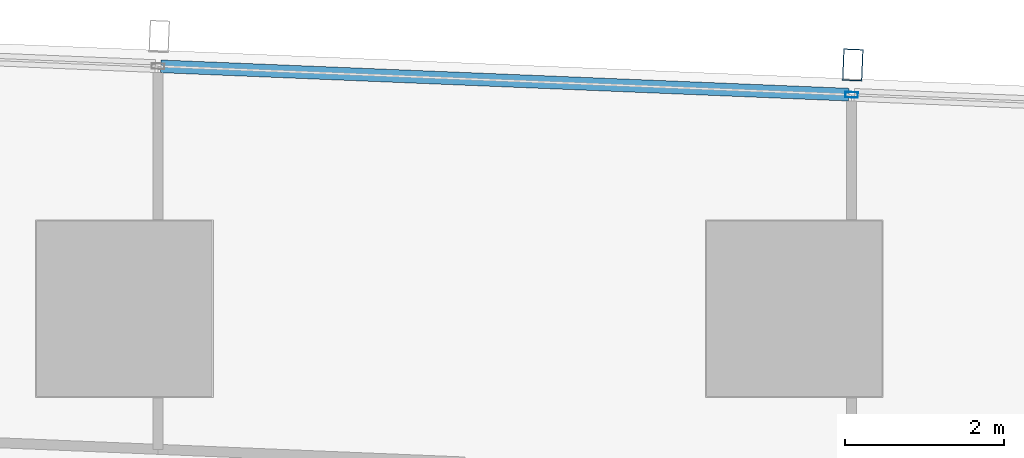
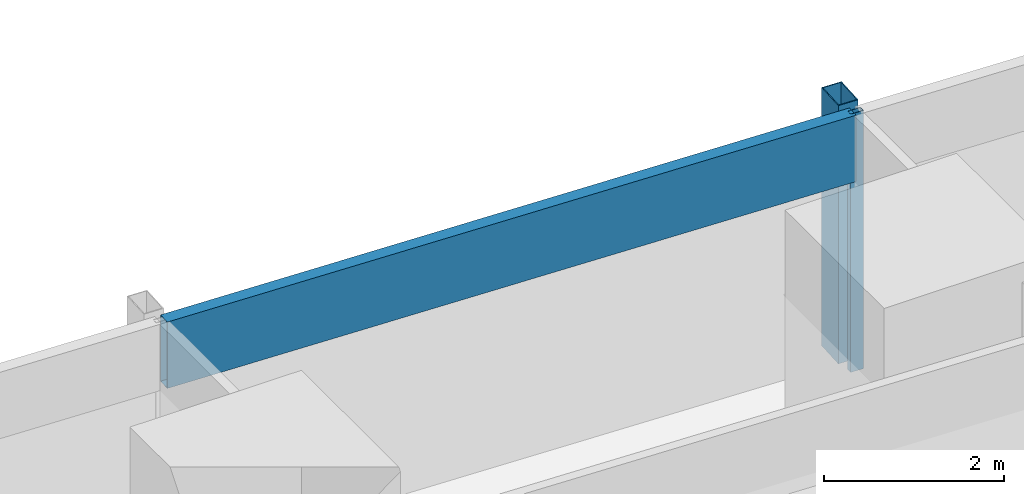
# One storey, part 19 of 42: 3 members, 1 element without a shape of its own.
"""IFC4 building model written with IfcOpenShell, lengths in metres."""

import ifcopenshell
import ifcopenshell.guid

model = None  # the IFC model being written
_history = None  # IfcOwnerHistory: only IFC2X3 demands one
_inside = {}  # id of a spatial element -> (the spatial element, [elements in it])
_under = {}  # id of a project, library or spatial element -> (it, [spatial elements below it])
_declared = {}  # id of a project -> (the project, [libraries it declares])
_typed = {}  # id of a type object -> (the type object, [elements of that type])
_made_of = {}  # id of a material, layer set ... -> (it, [elements and type objects made of it])


def new_model(schema):
    """Start an empty IFC model of exactly this schema.

    Asked for "IFC4X3", IfcOpenShell would pick the latest addendum, in which some entities
    have other attributes; the version numbers below select the first issue.
    IFC2X3 requires an IfcOwnerHistory on every rooted entity: one is made here for all.
    """
    global model, _history
    if schema == "IFC4X3":
        model = ifcopenshell.file(schema_version=(4, 3, 0, 0))
    else:
        model = ifcopenshell.file(schema=schema)
    _inside.clear()
    _under.clear()
    _declared.clear()
    _typed.clear()
    _made_of.clear()
    _history = None
    if model.schema == "IFC2X3":
        org = make("IfcOrganization", Name="unknown")
        user = make(
            "IfcPersonAndOrganization",
            ThePerson=make("IfcPerson", FamilyName="unknown"),
            TheOrganization=org,
        )
        app = make(
            "IfcApplication",
            ApplicationDeveloper=org,
            Version="unknown",
            ApplicationFullName="unknown",
            ApplicationIdentifier="unknown",
        )
        _history = make(
            "IfcOwnerHistory",
            OwningUser=user,
            OwningApplication=app,
            ChangeAction="ADDED",
            CreationDate=0,
        )
    return model


def make(cls, **values):
    """One entity of the class cls with the attributes given. An attribute that is None is left unset."""
    return model.create_entity(
        cls, **{name: value for name, value in values.items() if value is not None}
    )


def rooted(cls, **values):
    """An entity with a GlobalId (a new one), such as an element, a storey or a relation."""
    return make(cls, GlobalId=ifcopenshell.guid.new(), OwnerHistory=_history, **values)


def si_unit(unit_type, name, prefix=None):
    """IfcSIUnit, for example si_unit("LENGTHUNIT", "METRE", prefix="MILLI")."""
    return make("IfcSIUnit", UnitType=unit_type, Prefix=prefix, Name=name)


def assignment(units):
    """IfcUnitAssignment: the units of a project."""
    return None if units is None else make("IfcUnitAssignment", Units=units)


def point(xyz):
    """IfcCartesianPoint."""
    return None if xyz is None else make("IfcCartesianPoint", Coordinates=xyz)


def direction(xyz):
    """IfcDirection."""
    return None if xyz is None else make("IfcDirection", DirectionRatios=xyz)


def frame(location, z_axis=None, x_axis=None):
    """IfcAxis2Placement3D, a coordinate frame: its origin and axes. An axis left out is left unset."""
    return make(
        "IfcAxis2Placement3D",
        Location=point(location),
        Axis=direction(z_axis),
        RefDirection=direction(x_axis),
    )


def frame_2d(location, x_axis=None):
    """IfcAxis2Placement2D, a coordinate frame in the plane: its origin and x axis."""
    return make(
        "IfcAxis2Placement2D", Location=point(location), RefDirection=direction(x_axis)
    )


def origin():
    """The frame at (0, 0, 0) with its axes left unset."""
    return frame((0.0, 0.0, 0.0))


def origin_2d():
    """The frame at (0, 0) in the plane with its x axis left unset."""
    return frame_2d((0.0, 0.0))


def place(relative_to, where):
    """IfcLocalPlacement: puts the frame where relative to a parent placement (None: the world)."""
    return make(
        "IfcLocalPlacement", PlacementRelTo=relative_to, RelativePlacement=where
    )


def context(
    kind, dimensions, precision=None, world=None, true_north=None, identifier=None
):
    """IfcGeometricRepresentationContext, for example the 3D "Model" context."""
    return make(
        "IfcGeometricRepresentationContext",
        ContextIdentifier=identifier,
        ContextType=kind,
        CoordinateSpaceDimension=dimensions,
        Precision=precision,
        WorldCoordinateSystem=world,
        TrueNorth=true_north,
    )


def subcontext(parent, identifier, kind, view, scale=None):
    """IfcGeometricRepresentationSubContext, for example "Body" below "Model"."""
    return make(
        "IfcGeometricRepresentationSubContext",
        ContextIdentifier=identifier,
        ContextType=kind,
        ParentContext=parent,
        TargetScale=scale,
        TargetView=view,
    )


def project(units=None, contexts=None):
    """IfcProject with its units and contexts."""
    return rooted(
        "IfcProject",
        Name="project",
        RepresentationContexts=contexts,
        UnitsInContext=assignment(units),
    )


def spatial(cls, under=None, at=None, **own):
    """A site, building, storey or space (cls), placed at a placement, below another one or the project."""
    s = rooted(cls, ObjectPlacement=at, **own)
    if under is not None:
        _under.setdefault(under.id(), (under, []))[1].append(s)
    return s


def profile(cls, at=None, kind="AREA", **sizes):
    """A parametric profile (cls). Its sizes go by their IFC names, for example OverallWidth=200.0."""
    return make(cls, ProfileType=kind, Position=at, **sizes)


def hollow_rectangle(**sizes):
    """IfcRectangleHollowProfileDef."""
    return profile("IfcRectangleHollowProfileDef", **sizes)


def extrude(swept, where, along, depth):
    """IfcExtrudedAreaSolid: the profile swept, set in the frame where, extruded along a direction by depth."""
    return make(
        "IfcExtrudedAreaSolid",
        SweptArea=swept,
        Position=where,
        ExtrudedDirection=direction(along),
        Depth=depth,
    )


def shape(context_of_items, identifier, shape_type, items):
    """IfcShapeRepresentation: the items that make up one representation, for example the "Body"."""
    return make(
        "IfcShapeRepresentation",
        ContextOfItems=context_of_items,
        RepresentationIdentifier=identifier,
        RepresentationType=shape_type,
        Items=items,
    )


def material(Name=None, Category=None):
    """IfcMaterial."""
    return make("IfcMaterial", Name=Name, Category=Category)


def material_profile(
    of_material, cross_section, Name=None, Category=None, Priority=None
):
    """IfcMaterialProfile: a cross section and its material."""
    return make(
        "IfcMaterialProfile",
        Name=Name,
        Material=of_material,
        Profile=cross_section,
        Priority=Priority,
        Category=Category,
    )


def profile_set(profiles, Name=None, composite=None):
    """IfcMaterialProfileSet."""
    return make(
        "IfcMaterialProfileSet",
        Name=Name,
        MaterialProfiles=profiles,
        CompositeProfile=composite,
    )


def made_of(thing, what):
    """Note that an element or type object is made of a material, layer set ...; save() writes the relation."""
    if what is not None:
        _made_of.setdefault(what.id(), (what, []))[1].append(thing)
    return thing


def type_object(cls, material=None, **own):
    """A type object (cls), such as IfcWallType, which elements share."""
    return made_of(rooted(cls, **own), material)


def element(
    cls,
    number,
    at=None,
    inside=None,
    cuts=None,
    type_object=None,
    material=None,
    context=None,
    identifier="Body",
    shape_type=None,
    held_by="IfcProductDefinitionShape",
    body=None,
    shapes=None,
    **own,
):
    """One element of the class cls, such as IfcWall. Its Tag is "e" and its number.

    at: its placement. inside: the storey or other place that contains it. cuts: it is an
    opening in that element (IfcRelVoidsElement). A single representation is given by context,
    identifier, shape_type and body (its items); several are given by shapes. held_by: the class
    of the entity that holds the representations. save() writes the other relations.
    """
    e = rooted(cls, Tag="e%d" % number, ObjectPlacement=at, **own)
    if body is not None:
        shapes = [shape(context, identifier, shape_type, body)]
    if shapes is not None:
        e.Representation = make(held_by, Representations=shapes)
    if inside is not None:
        _inside.setdefault(inside.id(), (inside, []))[1].append(e)
    if cuts is not None:
        rooted(
            "IfcRelVoidsElement", RelatingBuildingElement=cuts, RelatedOpeningElement=e
        )
    if type_object is not None:
        _typed.setdefault(type_object.id(), (type_object, []))[1].append(e)
    return made_of(e, material)


def aggregate(whole, parts):
    """IfcRelAggregates: a whole, such as a stair, and the parts it consists of."""
    return rooted("IfcRelAggregates", RelatingObject=whole, RelatedObjects=parts)


def save(model, path):
    """Write the relations noted so far, then the file.

    IfcRelAggregates (storeys below a building ...), IfcRelContainedInSpatialStructure (elements
    in a storey), IfcRelDefinesByType, IfcRelAssociatesMaterial and IfcRelDeclares: one each for
    every whole, place, type object, material and project.
    """
    for whole, parts in _under.values():
        aggregate(whole, parts)
    for where, things in _inside.values():
        rooted(
            "IfcRelContainedInSpatialStructure",
            RelatedElements=things,
            RelatingStructure=where,
        )
    for kind, things in _typed.values():
        rooted("IfcRelDefinesByType", RelatedObjects=things, RelatingType=kind)
    for what, things in _made_of.values():
        rooted("IfcRelAssociatesMaterial", RelatedObjects=things, RelatingMaterial=what)
    for by, libraries in _declared.values():
        rooted("IfcRelDeclares", RelatingContext=by, RelatedDefinitions=libraries)
    model.write(path)


model = new_model("IFC4")

# Units and contexts
model_context = context("Model", 3, precision=1e-05, world=origin(), true_north=direction((0.0, 1.0)))
body_context = subcontext(model_context, "Body", "Model", "MODEL_VIEW")
ifc_project = project(units=[si_unit("LENGTHUNIT", "METRE"), si_unit("AREAUNIT", "SQUARE_METRE"), si_unit("VOLUMEUNIT", "CUBIC_METRE"), si_unit("PLANEANGLEUNIT", "RADIAN"), si_unit("MASSUNIT", "GRAM", prefix="KILO")], contexts=[model_context])

# Site, building, storey
site_placement = place(None, origin())
site = spatial("IfcSite", under=ifc_project, at=site_placement, CompositionType="ELEMENT")
building_placement = place(site_placement, origin())
building = spatial("IfcBuilding", under=site, at=building_placement, Name="Rekha Terrace Tower", CompositionType="ELEMENT")
storey_placement = place(building_placement, frame((0.0, 0.0, 55.39990234375)))
storey = spatial("IfcBuildingStorey", under=building, at=storey_placement, Name="L13", CompositionType="ELEMENT", Elevation=55.39990234375)

# Curtain wall, members
ifc_material_1 = material(Name="Aluminium framing", Category="aluminium")
curtain_wall_type = type_object("IfcCurtainWallType", Name="CW3 north unitised glazing", PredefinedType="USERDEFINED", material=ifc_material_1)
curtain_wall_placement = place(storey_placement, origin())
curtain_wall = element("IfcCurtainWall", 1, at=curtain_wall_placement, inside=storey, type_object=curtain_wall_type, Name="CW3 unitised curtain wall", ObjectType="UNITISED CURTAIN WALL", PredefinedType="USERDEFINED")
ifc_material_2 = material(Name="Steel S355 with fluorocarbon finish", Category="steel")
ifc_material_profile_1 = material_profile(ifc_material_2, hollow_rectangle(XDim=0.25, YDim=0.39990234375, WallThickness=0.012451171875, at=origin_2d()), Name="RHS400x250x12.5")
ifc_profile_set_1 = profile_set([ifc_material_profile_1], Name="Steel S355 with fluorocarbon finish")
member_type_1 = type_object("IfcMemberType", Name="BL1 facade blade RHS 400 x 250", PredefinedType="USERDEFINED", material=ifc_profile_set_1)
member_1_placement = place(storey_placement, frame((42.73388671875, 61.857421875, 0.0), z_axis=(0.0, 0.0, 1.0), x_axis=(-0.99915196507, 0.041174636562, 0.0)))
member_1 = element("IfcMember", 2, at=member_1_placement, type_object=member_type_1, Name="Facade blade", ObjectType="FACADE BLADE", PredefinedType="USERDEFINED", context=body_context, shape_type="SweptSolid", body=[
    extrude(hollow_rectangle(XDim=0.25, YDim=0.39990234375, WallThickness=0.012451171875, at=origin_2d()), origin(), (0.0, 0.0, 1.0), 3.5),
])
ifc_material_3 = material(Name="Aluminium mullion section", Category="aluminium")
ifc_material_profile_2 = material_profile(ifc_material_3, hollow_rectangle(XDim=0.070068359375, YDim=0.159912109375, WallThickness=0.00390625, at=origin_2d()), Name="AL RHS 70x160")
ifc_profile_set_2 = profile_set([ifc_material_profile_2], Name="Aluminium mullion section")
member_type_2 = type_object("IfcMemberType", Name="CW3 mullion RHS 70 x 160", PredefinedType="MULLION", material=ifc_profile_set_2)
member_2_placement = place(storey_placement, frame((42.718505859375, 61.48291015625, 0.0), z_axis=(0.0, 0.0, 1.0), x_axis=(-0.041173846041, -0.999151997647, 0.0)))
member_2 = element("IfcMember", 3, at=member_2_placement, type_object=member_type_2, Name="CW3 mullion 4", PredefinedType="MULLION", context=body_context, shape_type="SweptSolid", body=[
    extrude(hollow_rectangle(XDim=0.070068359375, YDim=0.159912109375, WallThickness=0.00390625, at=origin_2d()), origin(), (0.0, 0.0, 1.0), 3.5),
])
ifc_material_4 = material(Name="Insulated aluminium spandrel box", Category="aluminium")
ifc_material_profile_3 = material_profile(ifc_material_4, hollow_rectangle(XDim=0.159912109375, YDim=0.89990234375, WallThickness=0.0029296875, at=origin_2d()), Name="AL SPANDREL BOX 160x900")
ifc_profile_set_3 = profile_set([ifc_material_profile_3], Name="Insulated aluminium spandrel box")
member_type_3 = type_object("IfcMemberType", Name="CW3 spandrel transom 160 x 900", PredefinedType="USERDEFINED", material=ifc_profile_set_3)
member_3_placement = place(storey_placement, frame((42.68359375, 61.484375, 3.050048828125), z_axis=(-0.999152128669, 0.041170666459, 0.0), x_axis=(-0.041170666459, -0.999152128669, 0.0)))
member_3 = element("IfcMember", 4, at=member_3_placement, type_object=member_type_3, Name="CW3 spandrel transom 4", ObjectType="TRANSOM", PredefinedType="USERDEFINED", context=body_context, shape_type="SweptSolid", body=[
    extrude(hollow_rectangle(XDim=0.159912109375, YDim=0.89990234375, WallThickness=0.0029296875, at=origin_2d()), origin(), (0.0, 0.0, 1.0), 8.634033203125),
])
aggregate(curtain_wall, [member_2, member_3, member_1])

save(model, "model.ifc")
